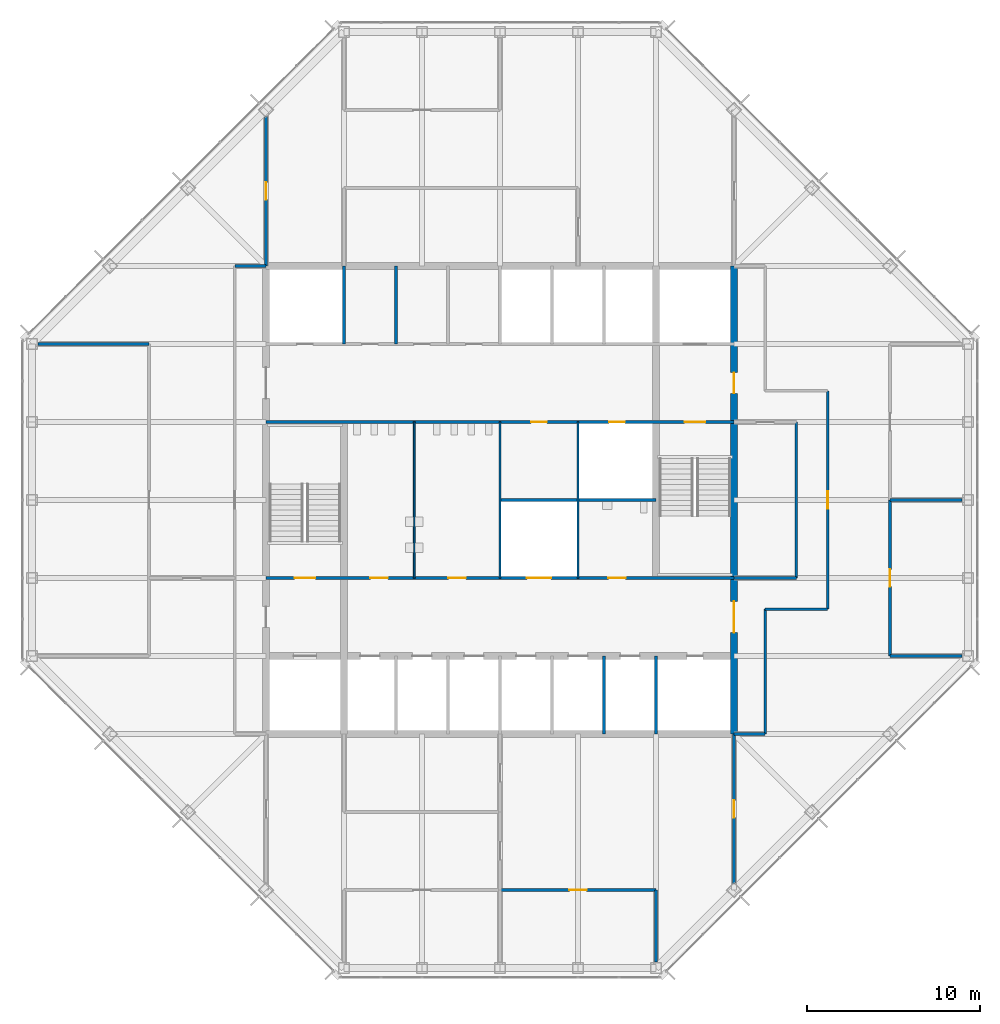
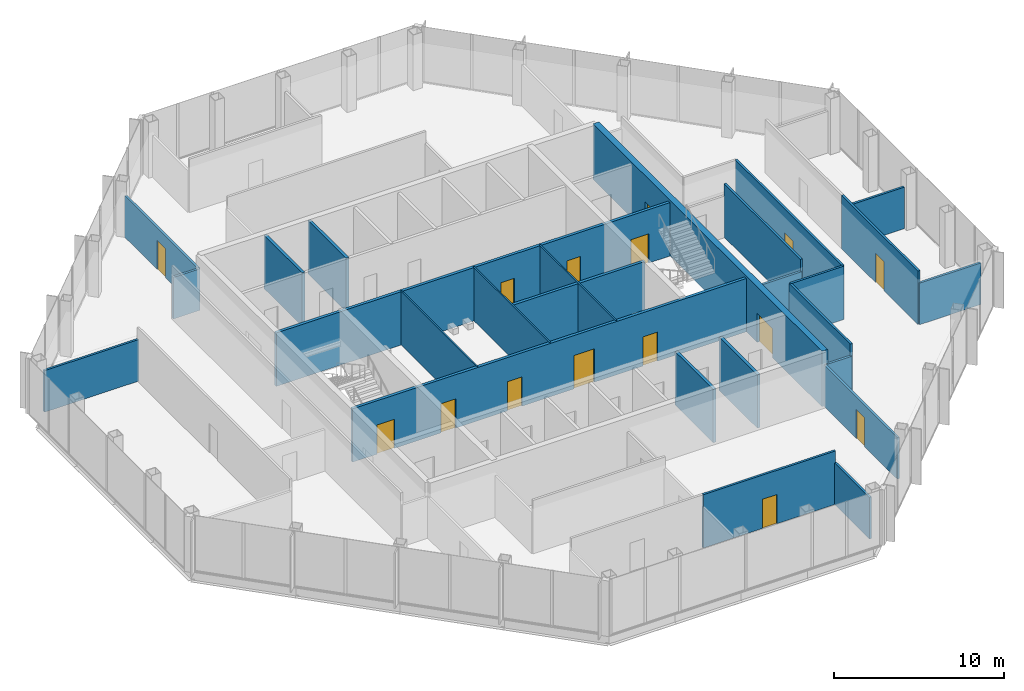
# One storey, part 10 of 13: 26 walls, 15 doors, 15 openings.
"""IFC4 building model written with IfcOpenShell, lengths in metres."""

from ifc_helpers import new_model, si_unit, direction, frame, frame_2d, origin, place, context, subcontext, project, spatial, rectangle, extrude, material, layer, layer_set, type_object, element, fill, save


model = new_model("IFC4")

# Units and contexts
model_context = context("Model", 3, precision=1e-05, world=origin(), true_north=direction((0.0, 1.0)))
body_context = subcontext(model_context, "Body", "Model", "MODEL_VIEW")
ifc_project = project(units=[si_unit("LENGTHUNIT", "METRE"), si_unit("AREAUNIT", "SQUARE_METRE"), si_unit("VOLUMEUNIT", "CUBIC_METRE"), si_unit("PLANEANGLEUNIT", "RADIAN"), si_unit("MASSUNIT", "GRAM", prefix="KILO")], contexts=[model_context])

# Site, building, storey
site_placement = place(None, origin())
site = spatial("IfcSite", under=ifc_project, at=site_placement, CompositionType="ELEMENT")
building_placement = place(site_placement, origin())
building = spatial("IfcBuilding", under=site, at=building_placement, Name="Corais Broadcast Tower", CompositionType="ELEMENT")
storey_placement = place(building_placement, frame((0.0, 0.0, 210.60009765625)))
storey = spatial("IfcBuildingStorey", under=building, at=storey_placement, Name="L48", CompositionType="ELEMENT", Elevation=210.60009765625)

# Walls
ifc_material_1 = material(Name="Concrete blockwork class A, grouted, two-hour", Category="masonry")
ifc_layer_1 = layer(ifc_material_1, 0.199951171875)
ifc_layer_set_1 = layer_set([ifc_layer_1], Name="Concrete blockwork class A, grouted, two-hour")
wall_type_1 = type_object("IfcWallType", Name="Core lobby wall 200", PredefinedType="SOLIDWALL", material=ifc_layer_set_1)
for number, where, z_axis, x_axis, name in (
    (1, (18.0, 36.0, 0.0), (0.0, 0.0, 1.0), (0.0, 1.0, 0.0), "CL3 core shaft wall X18B L48"),
    (2, (36.0, 13.5, 0.0), (0.0, 0.0, 1.0), (0.0, 1.0, 0.0), "CL3 core shaft wall X36A L48"),
):
    element("IfcWall", number, at=place(storey_placement, frame(where, z_axis=z_axis, x_axis=x_axis)), inside=storey, type_object=wall_type_1, Name=name, PredefinedType="SOLIDWALL", context=body_context, shape_type="SweptSolid", body=[
        extrude(rectangle(XDim=4.5, YDim=0.199951171875, at=frame_2d((2.25, 0.0))), origin(), (0.0, 0.0, 1.0), 3.83984375),
    ])

# Wall, openings, doors
wall_1_placement = place(storey_placement, frame((13.5, 22.5, 0.0), z_axis=(0.0, 0.0, 1.0), x_axis=(1.0, 0.0, 0.0)))
wall_1 = element("IfcWall", 3, at=wall_1_placement, inside=storey, type_object=wall_type_1, Name="CL3 core lobby wall Y225 L48", PredefinedType="SOLIDWALL", context=body_context, shape_type="SweptSolid", body=[
    extrude(rectangle(XDim=27.0, YDim=0.199951171875, at=frame_2d((13.5, 0.0))), origin(), (0.0, 0.0, 1.0), 3.83984375),
])
opening_1_placement = place(wall_1_placement, frame((1.64990234375, 0.0, 0.0)))
opening_1 = element("IfcOpeningElement", 4, at=opening_1_placement, cuts=wall_1, Name="Opening FD1", PredefinedType="OPENING", context=body_context, shape_type="SweptSolid", body=[
    extrude(rectangle(XDim=1.199951171875, YDim=2.10009765625, at=frame_2d((0.60009765625, 1.050048828125))), frame((0.0, 0.10986328125, 0.0), z_axis=(0.0, -1.0, 0.0), x_axis=(1.0, 0.0, 0.0)), (0.0, 0.0, 1.0), 0.219970703125),
])
opening_2_placement = place(wall_1_placement, frame((6.02490234375, 0.0, 0.0)))
opening_2 = element("IfcOpeningElement", 5, at=opening_2_placement, cuts=wall_1, Name="Opening WD1", PredefinedType="OPENING", context=body_context, shape_type="SweptSolid", body=[
    extrude(rectangle(XDim=1.0, YDim=2.10009765625, at=frame_2d((0.5, 1.050048828125))), frame((0.0, 0.10986328125, 0.0), z_axis=(0.0, -1.0, 0.0), x_axis=(1.0, 0.0, 0.0)), (0.0, 0.0, 1.0), 0.219970703125),
])
opening_3_placement = place(wall_1_placement, frame((10.52490234375, 0.0, 0.0)))
opening_3 = element("IfcOpeningElement", 6, at=opening_3_placement, cuts=wall_1, Name="Opening WD1", PredefinedType="OPENING", context=body_context, shape_type="SweptSolid", body=[
    extrude(rectangle(XDim=1.0, YDim=2.10009765625, at=frame_2d((0.5, 1.050048828125))), frame((0.0, 0.10986328125, 0.0), z_axis=(0.0, -1.0, 0.0), x_axis=(1.0, 0.0, 0.0)), (0.0, 0.0, 1.0), 0.219970703125),
])
opening_4_placement = place(wall_1_placement, frame((19.75, 0.0, 0.0)))
opening_4 = element("IfcOpeningElement", 7, at=opening_4_placement, cuts=wall_1, Name="Opening WD1", PredefinedType="OPENING", context=body_context, shape_type="SweptSolid", body=[
    extrude(rectangle(XDim=1.0, YDim=2.10009765625, at=frame_2d((0.5, 1.050048828125))), frame((0.0, 0.10986328125, 0.0), z_axis=(0.0, -1.0, 0.0), x_axis=(1.0, 0.0, 0.0)), (0.0, 0.0, 1.0), 0.219970703125),
])
opening_5_placement = place(wall_1_placement, frame((15.050048828125, 0.0, 0.0)))
opening_5 = element("IfcOpeningElement", 8, at=opening_5_placement, cuts=wall_1, Name="Opening LD3", PredefinedType="OPENING", context=body_context, shape_type="SweptSolid", body=[
    extrude(rectangle(XDim=1.39990234375, YDim=2.39990234375, at=frame_2d((0.699951171875, 1.199951171875))), frame((0.0, 0.10986328125, 0.0), z_axis=(0.0, -1.0, 0.0), x_axis=(1.0, 0.0, 0.0)), (0.0, 0.0, 1.0), 0.219970703125),
])
ifc_material_2 = material(Name="Steel fire door", Category="steel")
door_type_1 = type_object("IfcDoorType", Name="Fire door 1200x2100", OperationType="SINGLE_SWING_LEFT", PredefinedType="DOOR", material=ifc_material_2)
door_1_placement = place(opening_1_placement, origin())
door_1 = element("IfcDoor", 9, at=door_1_placement, inside=storey, type_object=door_type_1, Name="FD1 stair A door L48", OperationType="SINGLE_SWING_LEFT", OverallHeight=2.10009765625, OverallWidth=1.199951171875, PredefinedType="DOOR", context=body_context, shape_type="SweptSolid", body=[
    extrude(rectangle(XDim=1.199951171875, YDim=2.10009765625, at=frame_2d((0.60009765625, 1.050048828125))), frame((0.0, 0.02490234375, 0.0), z_axis=(0.0, -1.0, 0.0), x_axis=(1.0, 0.0, 0.0)), (0.0, 0.0, 1.0), 0.050048828125),
])
fill(opening_1, door_1)
ifc_material_3 = material(Name="Stainless steel lift door", Category="steel")
door_type_2 = type_object("IfcDoorType", Name="Service lift landing door 1400x2400", OperationType="SLIDING_TO_LEFT", PredefinedType="DOOR", material=ifc_material_3)
door_2_placement = place(opening_5_placement, origin())
door_2 = element("IfcDoor", 10, at=door_2_placement, inside=storey, type_object=door_type_2, Name="LD3 SL1 landing door L48", OperationType="SLIDING_TO_LEFT", OverallHeight=2.39990234375, OverallWidth=1.39990234375, PredefinedType="DOOR", context=body_context, shape_type="SweptSolid", body=[
    extrude(rectangle(XDim=1.39990234375, YDim=2.39990234375, at=frame_2d((0.699951171875, 1.199951171875))), frame((0.0, 0.02490234375, 0.0), z_axis=(0.0, -1.0, 0.0), x_axis=(1.0, 0.0, 0.0)), (0.0, 0.0, 1.0), 0.050048828125),
])
fill(opening_5, door_2)
ifc_material_4 = material(Name="Timber door", Category="wood")
door_type_3 = type_object("IfcDoorType", Name="Toilet door 1000x2100", OperationType="SINGLE_SWING_LEFT", PredefinedType="DOOR", material=ifc_material_4)
door_3_placement = place(opening_2_placement, origin())
door_3 = element("IfcDoor", 11, at=door_3_placement, inside=storey, type_object=door_type_3, Name="WD1 WC male door L48", OperationType="SINGLE_SWING_LEFT", OverallHeight=2.10009765625, OverallWidth=1.0, PredefinedType="DOOR", context=body_context, shape_type="SweptSolid", body=[
    extrude(rectangle(XDim=1.0, YDim=2.10009765625, at=frame_2d((0.5, 1.050048828125))), frame((0.0, 0.02490234375, 0.0), z_axis=(0.0, -1.0, 0.0), x_axis=(1.0, 0.0, 0.0)), (0.0, 0.0, 1.0), 0.050048828125),
])
fill(opening_2, door_3)
door_4_placement = place(opening_3_placement, origin())
door_4 = element("IfcDoor", 12, at=door_4_placement, inside=storey, type_object=door_type_3, Name="WD1 WC female door L48", OperationType="SINGLE_SWING_LEFT", OverallHeight=2.10009765625, OverallWidth=1.0, PredefinedType="DOOR", context=body_context, shape_type="SweptSolid", body=[
    extrude(rectangle(XDim=1.0, YDim=2.10009765625, at=frame_2d((0.5, 1.050048828125))), frame((0.0, 0.02490234375, 0.0), z_axis=(0.0, -1.0, 0.0), x_axis=(1.0, 0.0, 0.0)), (0.0, 0.0, 1.0), 0.050048828125),
])
fill(opening_3, door_4)
door_5_placement = place(opening_4_placement, origin())
door_5 = element("IfcDoor", 13, at=door_5_placement, inside=storey, type_object=door_type_3, Name="WD1 accessible WC door L48", OperationType="SINGLE_SWING_RIGHT", OverallHeight=2.10009765625, OverallWidth=1.0, PredefinedType="DOOR", context=body_context, shape_type="SweptSolid", body=[
    extrude(rectangle(XDim=1.0, YDim=2.10009765625, at=frame_2d((0.5, 1.050048828125))), frame((0.0, 0.02490234375, 0.0), z_axis=(0.0, -1.0, 0.0), x_axis=(1.0, 0.0, 0.0)), (0.0, 0.0, 1.0), 0.050048828125),
])
fill(opening_4, door_5)

wall_2_placement = place(storey_placement, frame((13.5, 31.5, 0.0), z_axis=(0.0, 0.0, 1.0), x_axis=(1.0, 0.0, 0.0)))
wall_2 = element("IfcWall", 14, at=wall_2_placement, inside=storey, type_object=wall_type_1, Name="CL3 core lobby wall Y315 L48", PredefinedType="SOLIDWALL", context=body_context, shape_type="SweptSolid", body=[
    extrude(rectangle(XDim=27.0, YDim=0.199951171875, at=frame_2d((13.5, 0.0))), origin(), (0.0, 0.0, 1.0), 3.83984375),
])
opening_6_placement = place(wall_2_placement, frame((24.14990234375, 0.0, 0.0)))
opening_6 = element("IfcOpeningElement", 15, at=opening_6_placement, cuts=wall_2, Name="Opening FD1", PredefinedType="OPENING", context=body_context, shape_type="SweptSolid", body=[
    extrude(rectangle(XDim=1.199951171875, YDim=2.10009765625, at=frame_2d((0.60009765625, 1.050048828125))), frame((0.0, 0.10986328125, 0.0), z_axis=(0.0, -1.0, 0.0), x_axis=(1.0, 0.0, 0.0)), (0.0, 0.0, 1.0), 0.219970703125),
])
opening_7_placement = place(wall_2_placement, frame((15.300048828125, 0.0, 0.0)))
opening_7 = element("IfcOpeningElement", 16, at=opening_7_placement, cuts=wall_2, Name="Opening RD1", PredefinedType="OPENING", context=body_context, shape_type="SweptSolid", body=[
    extrude(rectangle(XDim=0.89990234375, YDim=2.10009765625, at=frame_2d((0.449951171875, 1.050048828125))), frame((0.0, 0.10986328125, 0.0), z_axis=(0.0, -1.0, 0.0), x_axis=(1.0, 0.0, 0.0)), (0.0, 0.0, 1.0), 0.219970703125),
])
opening_8_placement = place(wall_2_placement, frame((19.800048828125, 0.0, 0.0)))
opening_8 = element("IfcOpeningElement", 17, at=opening_8_placement, cuts=wall_2, Name="Opening RD1", PredefinedType="OPENING", context=body_context, shape_type="SweptSolid", body=[
    extrude(rectangle(XDim=0.89990234375, YDim=2.10009765625, at=frame_2d((0.449951171875, 1.050048828125))), frame((0.0, 0.10986328125, 0.0), z_axis=(0.0, -1.0, 0.0), x_axis=(1.0, 0.0, 0.0)), (0.0, 0.0, 1.0), 0.219970703125),
])
door_6_placement = place(opening_6_placement, origin())
door_6 = element("IfcDoor", 18, at=door_6_placement, inside=storey, type_object=door_type_1, Name="FD1 stair B door L48", OperationType="SINGLE_SWING_RIGHT", OverallHeight=2.10009765625, OverallWidth=1.199951171875, PredefinedType="DOOR", context=body_context, shape_type="SweptSolid", body=[
    extrude(rectangle(XDim=1.199951171875, YDim=2.10009765625, at=frame_2d((0.60009765625, 1.050048828125))), frame((0.0, 0.02490234375, 0.0), z_axis=(0.0, -1.0, 0.0), x_axis=(1.0, 0.0, 0.0)), (0.0, 0.0, 1.0), 0.050048828125),
])
fill(opening_6, door_6)
ifc_material_5 = material(Name="Steel fire door", Category="steel")
door_type_4 = type_object("IfcDoorType", Name="Riser door 900x2100", OperationType="SINGLE_SWING_LEFT", PredefinedType="DOOR", material=ifc_material_5)
door_7_placement = place(opening_7_placement, origin())
door_7 = element("IfcDoor", 19, at=door_7_placement, inside=storey, type_object=door_type_4, Name="RD1 stationery store door L48", OperationType="SINGLE_SWING_RIGHT", OverallHeight=2.10009765625, OverallWidth=0.89990234375, PredefinedType="DOOR", context=body_context, shape_type="SweptSolid", body=[
    extrude(rectangle(XDim=0.89990234375, YDim=2.10009765625, at=frame_2d((0.449951171875, 1.050048828125))), frame((0.0, 0.02490234375, 0.0), z_axis=(0.0, -1.0, 0.0), x_axis=(1.0, 0.0, 0.0)), (0.0, 0.0, 1.0), 0.050048828125),
])
fill(opening_7, door_7)
door_8_placement = place(opening_8_placement, origin())
door_8 = element("IfcDoor", 20, at=door_8_placement, inside=storey, type_object=door_type_4, Name="RD1 riser door L48", OperationType="SINGLE_SWING_RIGHT", OverallHeight=2.10009765625, OverallWidth=0.89990234375, PredefinedType="DOOR", context=body_context, shape_type="SweptSolid", body=[
    extrude(rectangle(XDim=0.89990234375, YDim=2.10009765625, at=frame_2d((0.449951171875, 1.050048828125))), frame((0.0, 0.02490234375, 0.0), z_axis=(0.0, -1.0, 0.0), x_axis=(1.0, 0.0, 0.0)), (0.0, 0.0, 1.0), 0.050048828125),
])
fill(opening_8, door_8)

ifc_material_6 = material(Name="Concrete C50/60", Category="concrete")
ifc_layer_2 = layer(ifc_material_6, 0.39990234375)
ifc_layer_set_2 = layer_set([ifc_layer_2], Name="Concrete C50/60")
wall_type_2 = type_object("IfcWallType", Name="Core wall 400", PredefinedType="SHEAR", material=ifc_layer_set_2)
wall_3_placement = place(storey_placement, frame((40.5, 13.5, 0.0), z_axis=(0.0, 0.0, 1.0), x_axis=(0.0, 1.0, 0.0)))
wall_3 = element("IfcWall", 21, at=wall_3_placement, inside=storey, type_object=wall_type_2, Name="CR400 core wall E L48", PredefinedType="SHEAR", context=body_context, shape_type="SweptSolid", body=[
    extrude(rectangle(XDim=27.0, YDim=0.39990234375, at=frame_2d((13.5, 0.0))), origin(), (0.0, 0.0, 1.0), 4.0),
])
opening_9_placement = place(wall_3_placement, frame((5.85009765625, 0.0, 0.0)))
opening_9 = element("IfcOpeningElement", 22, at=opening_9_placement, cuts=wall_3, Name="Opening FD2", PredefinedType="OPENING", context=body_context, shape_type="SweptSolid", body=[
    extrude(rectangle(XDim=1.800048828125, YDim=2.10009765625, at=frame_2d((0.89990234375, 1.050048828125))), frame((0.0, 0.2099609375, 0.0), z_axis=(0.0, -1.0, 0.0), x_axis=(1.0, 0.0, 0.0)), (0.0, 0.0, 1.0), 0.419921875),
])
opening_10_placement = place(wall_3_placement, frame((19.64990234375, 0.0, 0.0)))
opening_10 = element("IfcOpeningElement", 23, at=opening_10_placement, cuts=wall_3, Name="Opening FD1", PredefinedType="OPENING", context=body_context, shape_type="SweptSolid", body=[
    extrude(rectangle(XDim=1.199951171875, YDim=2.10009765625, at=frame_2d((0.60009765625, 1.050048828125))), frame((0.0, 0.2099609375, 0.0), z_axis=(0.0, -1.0, 0.0), x_axis=(1.0, 0.0, 0.0)), (0.0, 0.0, 1.0), 0.419921875),
])
door_9_placement = place(opening_10_placement, origin())
door_9 = element("IfcDoor", 24, at=door_9_placement, inside=storey, type_object=door_type_1, Name="FD1 fire lobby B door L48", OperationType="SINGLE_SWING_RIGHT", OverallHeight=2.10009765625, OverallWidth=1.199951171875, PredefinedType="DOOR", context=body_context, shape_type="SweptSolid", body=[
    extrude(rectangle(XDim=1.199951171875, YDim=2.10009765625, at=frame_2d((0.60009765625, 1.050048828125))), frame((0.0, 0.02490234375, 0.0), z_axis=(0.0, -1.0, 0.0), x_axis=(1.0, 0.0, 0.0)), (0.0, 0.0, 1.0), 0.050048828125),
])
fill(opening_10, door_9)
ifc_material_7 = material(Name="Steel fire door", Category="steel")
door_type_5 = type_object("IfcDoorType", Name="Fire door pair 1800x2100", OperationType="DOUBLE_DOOR_SINGLE_SWING", PredefinedType="DOOR", material=ifc_material_7)
door_10_placement = place(opening_9_placement, origin())
door_10 = element("IfcDoor", 25, at=door_10_placement, inside=storey, type_object=door_type_5, Name="FD2 lift lobby door L48", OperationType="SINGLE_SWING_LEFT", OverallHeight=2.10009765625, OverallWidth=1.800048828125, PredefinedType="DOOR", context=body_context, shape_type="SweptSolid", body=[
    extrude(rectangle(XDim=1.800048828125, YDim=2.10009765625, at=frame_2d((0.89990234375, 1.050048828125))), frame((0.0, 0.02490234375, 0.0), z_axis=(0.0, -1.0, 0.0), x_axis=(1.0, 0.0, 0.0)), (0.0, 0.0, 1.0), 0.050048828125),
])
fill(opening_9, door_10)

# Wall, opening, door
ifc_material_8 = material(Name="Gypsum board on steel studs", Category="steel")
ifc_layer_3 = layer(ifc_material_8, 0.14990234375)
ifc_layer_set_3 = layer_set([ifc_layer_3], Name="Gypsum board on steel studs")
wall_type_3 = type_object("IfcWallType", Name="Partition 150", PredefinedType="PARTITIONING", material=ifc_layer_set_3)
wall_4_placement = place(storey_placement, frame((45.89990234375, 20.699951171875, 0.0), z_axis=(0.0, 0.0, 1.0), x_axis=(0.0, 1.0, 0.0)))
wall_4 = element("IfcWall", 26, at=wall_4_placement, inside=storey, type_object=wall_type_3, Name="IW3 corridor wall L48", PredefinedType="PARTITIONING", context=body_context, shape_type="SweptSolid", body=[
    extrude(rectangle(XDim=12.60009765625, YDim=0.14990234375, at=frame_2d((6.300048828125, 0.0))), origin(), (0.0, 0.0, 1.0), 3.83984375),
])
opening_11_placement = place(wall_4_placement, frame((5.800048828125, 0.0, 0.0)))
opening_11 = element("IfcOpeningElement", 27, at=opening_11_placement, cuts=wall_4, Name="Opening D1", PredefinedType="OPENING", context=body_context, shape_type="SweptSolid", body=[
    extrude(rectangle(XDim=1.0, YDim=2.10009765625, at=frame_2d((0.5, 1.050048828125))), frame((0.0, 0.0849609375, 0.0), z_axis=(0.0, -1.0, 0.0), x_axis=(1.0, 0.0, 0.0)), (0.0, 0.0, 1.0), 0.169921875),
])
ifc_material_9 = material(Name="Timber door", Category="wood")
door_type_6 = type_object("IfcDoorType", Name="Single door 1000x2100", OperationType="SINGLE_SWING_LEFT", PredefinedType="DOOR", material=ifc_material_9)
door_11_placement = place(opening_11_placement, origin())
door_11 = element("IfcDoor", 28, at=door_11_placement, inside=storey, type_object=door_type_6, Name="D1 workplace door L48", OperationType="SINGLE_SWING_LEFT", OverallHeight=2.10009765625, OverallWidth=1.0, PredefinedType="DOOR", context=body_context, shape_type="SweptSolid", body=[
    extrude(rectangle(XDim=1.0, YDim=2.10009765625, at=frame_2d((0.5, 1.050048828125))), frame((0.0, 0.02490234375, 0.0), z_axis=(0.0, -1.0, 0.0), x_axis=(1.0, 0.0, 0.0)), (0.0, 0.0, 1.0), 0.050048828125),
])
fill(opening_11, door_11)

# Walls
wall_5_placement = place(storey_placement, frame((42.300048828125, 13.5, 0.0), z_axis=(0.0, 0.0, 1.0), x_axis=(0.0, 1.0, 0.0)))
element("IfcWall", 29, at=wall_5_placement, inside=storey, type_object=wall_type_3, Name="IW3 corridor wall L48", PredefinedType="PARTITIONING", context=body_context, shape_type="SweptSolid", body=[
    extrude(rectangle(XDim=7.199951171875, YDim=0.14990234375, at=frame_2d((3.60009765625, 0.0))), origin(), (0.0, 0.0, 1.0), 3.83984375),
])
wall_6_placement = place(storey_placement, frame((42.300048828125, 20.699951171875, 0.0), z_axis=(0.0, 0.0, 1.0), x_axis=(1.0, 0.0, 0.0)))
element("IfcWall", 30, at=wall_6_placement, inside=storey, type_object=wall_type_3, Name="IW3 corridor wall L48", PredefinedType="PARTITIONING", context=body_context, shape_type="SweptSolid", body=[
    extrude(rectangle(XDim=3.599853515625, YDim=0.14990234375, at=frame_2d((1.7998046875, 0.0))), origin(), (0.0, 0.0, 1.0), 3.83984375),
])
for number, where, z_axis, x_axis, name in (
    (31, (13.510009765625, 40.5, 0.0), (0.0, 0.0, 1.0), (-1.0, 0.0, 0.0), "IW3 corridor wall L48"),
    (32, (40.489990234375, 13.5, 0.0), (0.0, 0.0, 1.0), (1.0, 0.0, 0.0), "IW3 corridor wall L48"),
):
    element("IfcWall", number, at=place(storey_placement, frame(where, z_axis=z_axis, x_axis=x_axis)), inside=storey, type_object=wall_type_3, Name=name, PredefinedType="PARTITIONING", context=body_context, shape_type="SweptSolid", body=[
        extrude(rectangle(XDim=1.81005859375, YDim=0.14990234375, at=frame_2d((0.905029296875, 0.0))), origin(), (0.0, 0.0, 1.0), 2.989013671875),
    ])
wall_7_placement = place(storey_placement, frame((6.75, 36.0, 0.0), z_axis=(0.0, 0.0, 1.0), x_axis=(-1.0, 0.0, 0.0)))
element("IfcWall", 33, at=wall_7_placement, inside=storey, type_object=wall_type_3, Name="IW3 partition L48", PredefinedType="PARTITIONING", context=body_context, shape_type="SweptSolid", body=[
    extrude(rectangle(XDim=6.4150390625, YDim=0.14990234375, at=frame_2d((3.20751953125, 0.0))), origin(), (0.0, 0.0, 1.0), 2.989013671875),
])
for number, where, z_axis, x_axis, name in (
    (34, (49.5, 18.0, 0.0), (0.0, 0.0, 1.0), (1.0, 0.0, 0.0), "IW3 partition L48"),
    (35, (53.6650390625, 27.0, 0.0), (0.0, 0.0, 1.0), (-1.0, 0.0, 0.0), "IW3 partition L48"),
):
    element("IfcWall", number, at=place(storey_placement, frame(where, z_axis=z_axis, x_axis=x_axis)), inside=storey, type_object=wall_type_3, Name=name, PredefinedType="PARTITIONING", context=body_context, shape_type="SweptSolid", body=[
        extrude(rectangle(XDim=4.1650390625, YDim=0.14990234375, at=frame_2d((2.08251953125, 0.0))), origin(), (0.0, 0.0, 1.0), 2.989013671875),
    ])

# Wall, opening, door
wall_8_placement = place(storey_placement, frame((49.5, 27.0, 0.0), z_axis=(0.0, 0.0, 1.0), x_axis=(0.0, -1.0, 0.0)))
wall_8 = element("IfcWall", 36, at=wall_8_placement, inside=storey, type_object=wall_type_3, Name="IW3 partition L48", PredefinedType="PARTITIONING", context=body_context, shape_type="SweptSolid", body=[
    extrude(rectangle(XDim=9.0, YDim=0.14990234375, at=frame_2d((4.5, 0.0))), origin(), (0.0, 0.0, 1.0), 3.83984375),
])
opening_12_placement = place(wall_8_placement, frame((4.0, 0.0, 0.0)))
opening_12 = element("IfcOpeningElement", 37, at=opening_12_placement, cuts=wall_8, Name="Opening D1", PredefinedType="OPENING", context=body_context, shape_type="SweptSolid", body=[
    extrude(rectangle(XDim=1.0, YDim=2.10009765625, at=frame_2d((0.5, 1.050048828125))), frame((0.0, 0.0849609375, 0.0), z_axis=(0.0, -1.0, 0.0), x_axis=(1.0, 0.0, 0.0)), (0.0, 0.0, 1.0), 0.169921875),
])
door_12_placement = place(opening_12_placement, origin())
door_12 = element("IfcDoor", 38, at=door_12_placement, inside=storey, type_object=door_type_6, Name="D1 Members lounge door", OperationType="SINGLE_SWING_LEFT", OverallHeight=2.10009765625, OverallWidth=1.0, PredefinedType="DOOR", context=body_context, shape_type="SweptSolid", body=[
    extrude(rectangle(XDim=1.0, YDim=2.10009765625, at=frame_2d((0.5, 1.050048828125))), frame((0.0, 0.02490234375, 0.0), z_axis=(0.0, -1.0, 0.0), x_axis=(1.0, 0.0, 0.0)), (0.0, 0.0, 1.0), 0.050048828125),
])
fill(opening_12, door_12)

# Walls
wall_9_placement = place(storey_placement, frame((40.5, 22.5, 0.0), z_axis=(0.0, 0.0, 1.0), x_axis=(1.0, 0.0, 0.0)))
element("IfcWall", 39, at=wall_9_placement, inside=storey, type_object=wall_type_3, Name="IW3 partition L48", PredefinedType="PARTITIONING", context=body_context, shape_type="SweptSolid", body=[
    extrude(rectangle(XDim=3.60009765625, YDim=0.14990234375, at=frame_2d((1.800048828125, 0.0))), origin(), (0.0, 0.0, 1.0), 2.989013671875),
])
wall_10_placement = place(storey_placement, frame((44.10009765625, 22.5, 0.0), z_axis=(0.0, 0.0, 1.0), x_axis=(0.0, 1.0, 0.0)))
element("IfcWall", 40, at=wall_10_placement, inside=storey, type_object=wall_type_3, Name="IW3 partition L48", PredefinedType="PARTITIONING", context=body_context, shape_type="SweptSolid", body=[
    extrude(rectangle(XDim=9.0, YDim=0.14990234375, at=frame_2d((4.5, 0.0))), origin(), (0.0, 0.0, 1.0), 3.83984375),
])
wall_11_placement = place(storey_placement, frame((36.0, 0.3349609375, 0.0), z_axis=(0.0, 0.0, 1.0), x_axis=(0.0, 1.0, 0.0)))
element("IfcWall", 41, at=wall_11_placement, inside=storey, type_object=wall_type_3, Name="IW3 partition L48", PredefinedType="PARTITIONING", context=body_context, shape_type="SweptSolid", body=[
    extrude(rectangle(XDim=4.1650390625, YDim=0.14990234375, at=frame_2d((2.08251953125, 0.0))), origin(), (0.0, 0.0, 1.0), 2.989013671875),
])

# Wall, opening, door
wall_12_placement = place(storey_placement, frame((36.0, 4.5, 0.0), z_axis=(0.0, 0.0, 1.0), x_axis=(-1.0, 0.0, 0.0)))
wall_12 = element("IfcWall", 42, at=wall_12_placement, inside=storey, type_object=wall_type_3, Name="IW3 partition L48", PredefinedType="PARTITIONING", context=body_context, shape_type="SweptSolid", body=[
    extrude(rectangle(XDim=9.0, YDim=0.14990234375, at=frame_2d((4.5, 0.0))), origin(), (0.0, 0.0, 1.0), 3.83984375),
])
opening_13_placement = place(wall_12_placement, frame((4.0, 0.0, 0.0)))
opening_13 = element("IfcOpeningElement", 43, at=opening_13_placement, cuts=wall_12, Name="Opening D1", PredefinedType="OPENING", context=body_context, shape_type="SweptSolid", body=[
    extrude(rectangle(XDim=1.0, YDim=2.10009765625, at=frame_2d((0.5, 1.050048828125))), frame((0.0, 0.0849609375, 0.0), z_axis=(0.0, -1.0, 0.0), x_axis=(1.0, 0.0, 0.0)), (0.0, 0.0, 1.0), 0.169921875),
])
door_13_placement = place(opening_13_placement, origin())
door_13 = element("IfcDoor", 44, at=door_13_placement, inside=storey, type_object=door_type_6, Name="D1 Media room door", OperationType="SINGLE_SWING_LEFT", OverallHeight=2.10009765625, OverallWidth=1.0, PredefinedType="DOOR", context=body_context, shape_type="SweptSolid", body=[
    extrude(rectangle(XDim=1.0, YDim=2.10009765625, at=frame_2d((0.5, 1.050048828125))), frame((0.0, 0.02490234375, 0.0), z_axis=(0.0, -1.0, 0.0), x_axis=(1.0, 0.0, 0.0)), (0.0, 0.0, 1.0), 0.050048828125),
])
fill(opening_13, door_13)

wall_13_placement = place(storey_placement, frame((13.5, 40.5, 0.0), z_axis=(0.0, 0.0, 1.0), x_axis=(0.0, 1.0, 0.0)))
wall_13 = element("IfcWall", 45, at=wall_13_placement, inside=storey, type_object=wall_type_3, Name="IW3 partition L48", PredefinedType="PARTITIONING", context=body_context, shape_type="SweptSolid", body=[
    extrude(rectangle(XDim=8.655029296875, YDim=0.14990234375, at=frame_2d((4.32763671875, 0.0))), origin(), (0.0, 0.0, 1.0), 2.989013671875),
])
opening_14_placement = place(wall_13_placement, frame((3.827392578125, 0.0, 0.0)))
opening_14 = element("IfcOpeningElement", 46, at=opening_14_placement, cuts=wall_13, Name="Opening D1", PredefinedType="OPENING", context=body_context, shape_type="SweptSolid", body=[
    extrude(rectangle(XDim=1.0, YDim=2.10009765625, at=frame_2d((0.5, 1.050048828125))), frame((0.0, 0.0849609375, 0.0), z_axis=(0.0, -1.0, 0.0), x_axis=(1.0, 0.0, 0.0)), (0.0, 0.0, 1.0), 0.169921875),
])
door_14_placement = place(opening_14_placement, origin())
door_14 = element("IfcDoor", 47, at=door_14_placement, inside=storey, type_object=door_type_6, Name="D1 team room door L48", OperationType="SINGLE_SWING_LEFT", OverallHeight=2.10009765625, OverallWidth=1.0, PredefinedType="DOOR", context=body_context, shape_type="SweptSolid", body=[
    extrude(rectangle(XDim=1.0, YDim=2.10009765625, at=frame_2d((0.5, 1.050048828125))), frame((0.0, 0.02490234375, 0.0), z_axis=(0.0, -1.0, 0.0), x_axis=(1.0, 0.0, 0.0)), (0.0, 0.0, 1.0), 0.050048828125),
])
fill(opening_14, door_14)

wall_14_placement = place(storey_placement, frame((40.5, 4.844970703125, 0.0), z_axis=(0.0, 0.0, 1.0), x_axis=(0.0, 1.0, 0.0)))
wall_14 = element("IfcWall", 48, at=wall_14_placement, inside=storey, type_object=wall_type_3, Name="IW3 partition L48", PredefinedType="PARTITIONING", context=body_context, shape_type="SweptSolid", body=[
    extrude(rectangle(XDim=8.655029296875, YDim=0.14990234375, at=frame_2d((4.32763671875, 0.0))), origin(), (0.0, 0.0, 1.0), 2.989013671875),
])
opening_15_placement = place(wall_14_placement, frame((3.827392578125, 0.0, 0.0)))
opening_15 = element("IfcOpeningElement", 49, at=opening_15_placement, cuts=wall_14, Name="Opening D1", PredefinedType="OPENING", context=body_context, shape_type="SweptSolid", body=[
    extrude(rectangle(XDim=1.0, YDim=2.10009765625, at=frame_2d((0.5, 1.050048828125))), frame((0.0, 0.0849609375, 0.0), z_axis=(0.0, -1.0, 0.0), x_axis=(1.0, 0.0, 0.0)), (0.0, 0.0, 1.0), 0.169921875),
])
door_15_placement = place(opening_15_placement, origin())
door_15 = element("IfcDoor", 50, at=door_15_placement, inside=storey, type_object=door_type_6, Name="D1 team room door L48", OperationType="SINGLE_SWING_LEFT", OverallHeight=2.10009765625, OverallWidth=1.0, PredefinedType="DOOR", context=body_context, shape_type="SweptSolid", body=[
    extrude(rectangle(XDim=1.0, YDim=2.10009765625, at=frame_2d((0.5, 1.050048828125))), frame((0.0, 0.02490234375, 0.0), z_axis=(0.0, -1.0, 0.0), x_axis=(1.0, 0.0, 0.0)), (0.0, 0.0, 1.0), 0.050048828125),
])
fill(opening_15, door_15)

# Walls
ifc_material_10 = material(Name="Concrete blockwork class A, grouted, two-hour", Category="masonry")
ifc_layer_4 = layer(ifc_material_10, 0.199951171875)
ifc_layer_set_4 = layer_set([ifc_layer_4], Name="Concrete blockwork class A, grouted, two-hour")
wall_type_4 = type_object("IfcWallType", Name="Shaft wall 200", PredefinedType="PARTITIONING", material=ifc_layer_set_4)
for number, where, z_axis, x_axis, name in (
    (51, (21.0, 36.0, 0.0), (0.0, 0.0, 1.0), (0.0, 1.0, 0.0), "IW1 shaft wall L48"),
    (52, (33.0, 13.5, 0.0), (0.0, 0.0, 1.0), (0.0, 1.0, 0.0), "IW1 shaft wall L48"),
):
    element("IfcWall", number, at=place(storey_placement, frame(where, z_axis=z_axis, x_axis=x_axis)), inside=storey, type_object=wall_type_4, Name=name, PredefinedType="PARTITIONING", context=body_context, shape_type="SweptSolid", body=[
        extrude(rectangle(XDim=4.5, YDim=0.199951171875, at=frame_2d((2.25, 0.0))), origin(), (0.0, 0.0, 1.0), 3.83984375),
    ])
wall_15_placement = place(storey_placement, frame((27.0, 27.0, 0.0), z_axis=(0.0, 0.0, 1.0), x_axis=(1.0, 0.0, 0.0)))
element("IfcWall", 53, at=wall_15_placement, inside=storey, type_object=wall_type_4, Name="IW1 shaft wall L48", PredefinedType="PARTITIONING", context=body_context, shape_type="SweptSolid", body=[
    extrude(rectangle(XDim=9.0, YDim=0.199951171875, at=frame_2d((4.5, 0.0))), origin(), (0.0, 0.0, 1.0), 3.83984375),
])
ifc_material_11 = material(Name="Dense concrete blockwork class A, tiled both faces", Category="masonry")
ifc_layer_5 = layer(ifc_material_11, 0.10009765625)
ifc_layer_set_5 = layer_set([ifc_layer_5], Name="Dense concrete blockwork class A, tiled both faces")
wall_type_5 = type_object("IfcWallType", Name="Toilet wall 100", PredefinedType="PLUMBINGWALL", material=ifc_layer_set_5)
for number, where, z_axis, x_axis, name in (
    (54, (22.050048828125, 22.5, 0.0), (0.0, 0.0, 1.0), (0.0, 1.0, 0.0), "IW2 toilet wall L48"),
    (55, (27.0, 22.5, 0.0), (0.0, 0.0, 1.0), (0.0, 1.0, 0.0), "IW2 toilet wall L48"),
    (56, (31.5, 22.5, 0.0), (0.0, 0.0, 1.0), (0.0, 1.0, 0.0), "IW2 toilet wall L48"),
):
    element("IfcWall", number, at=place(storey_placement, frame(where, z_axis=z_axis, x_axis=x_axis)), inside=storey, type_object=wall_type_5, Name=name, PredefinedType="PLUMBINGWALL", context=body_context, shape_type="SweptSolid", body=[
        extrude(rectangle(XDim=9.0, YDim=0.10009765625, at=frame_2d((4.5, 0.0))), origin(), (0.0, 0.0, 1.0), 3.83984375),
    ])

save(model, "model.ifc")
